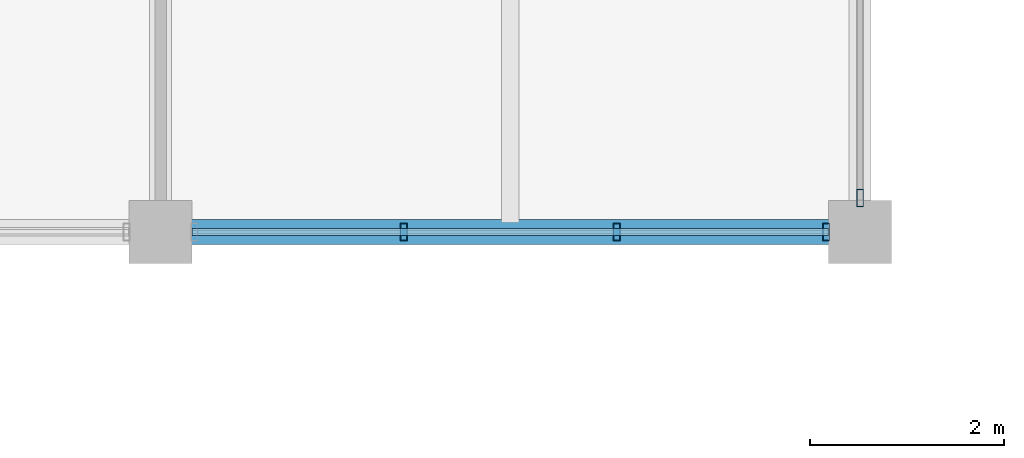
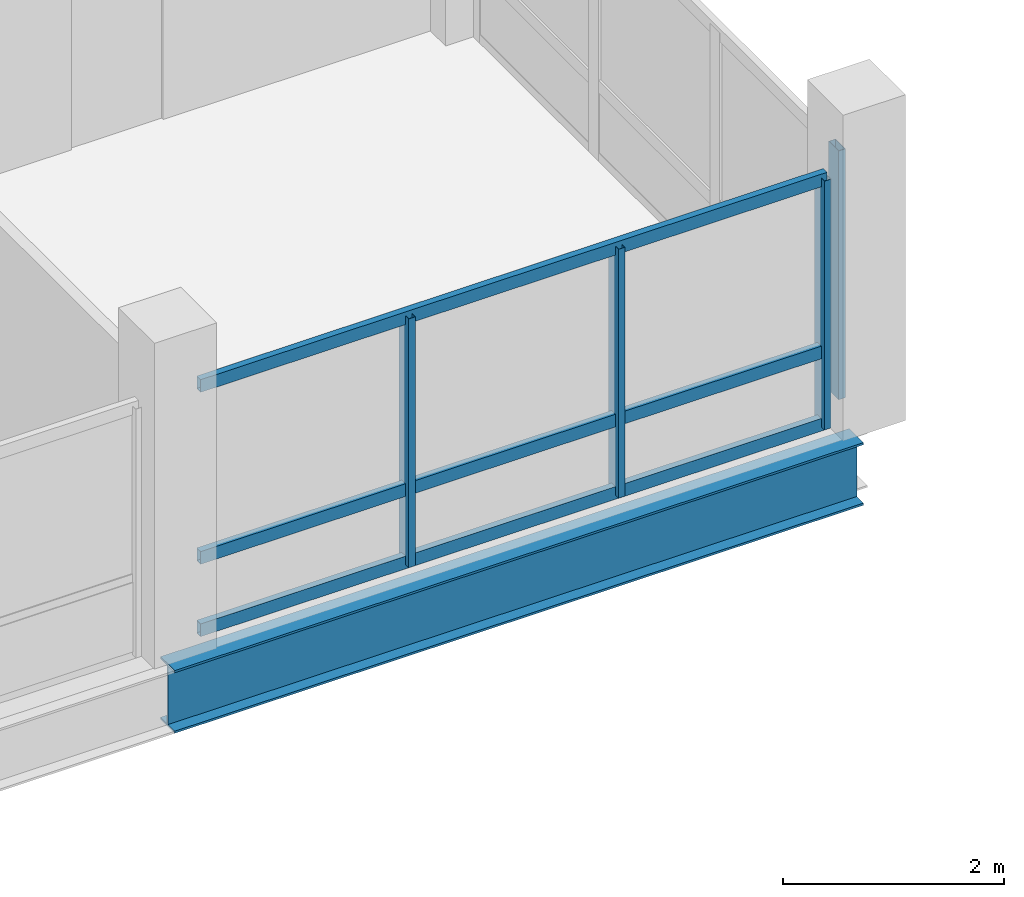
# One storey, part 43 of 96: 7 members, 1 beam, 2 elements without a shape of their own.
"""IFC4 building model written with IfcOpenShell, lengths in metres."""

from ifc_helpers import new_model, si_unit, direction, frame, origin, origin_2d, place, context, subcontext, project, spatial, hollow_rectangle, i_section, extrude, material, material_profile, profile_set, type_object, element, aggregate, save


model = new_model("IFC4")

# Units and contexts
model_context = context("Model", 3, precision=1e-05, world=origin(), true_north=direction((0.0, 1.0)))
body_context = subcontext(model_context, "Body", "Model", "MODEL_VIEW")
ifc_project = project(units=[si_unit("LENGTHUNIT", "METRE"), si_unit("AREAUNIT", "SQUARE_METRE"), si_unit("VOLUMEUNIT", "CUBIC_METRE"), si_unit("PLANEANGLEUNIT", "RADIAN"), si_unit("MASSUNIT", "GRAM", prefix="KILO")], contexts=[model_context])

# Site, building, storey
site_placement = place(None, origin())
site = spatial("IfcSite", under=ifc_project, at=site_placement, CompositionType="ELEMENT")
building_placement = place(site_placement, origin())
building = spatial("IfcBuilding", under=site, at=building_placement, Name="Yarey Park Central Fire Station", CompositionType="ELEMENT")
storey_placement = place(building_placement, frame((0.0, 0.0, 14.39990234375)))
storey = spatial("IfcBuildingStorey", under=building, at=storey_placement, Name="L04", CompositionType="ELEMENT", Elevation=14.39990234375)

# Curtain wall, members
ifc_material_1 = material(Name="Anodized Aluminium Frame", Category="aluminium")
curtain_wall_type = type_object("IfcCurtainWallType", Name="ENV_CW_HQ_L04", PredefinedType="NOTDEFINED", material=ifc_material_1)
curtain_wall_1_placement = place(storey_placement, origin())
curtain_wall_1 = element("IfcCurtainWall", 1, at=curtain_wall_1_placement, inside=storey, type_object=curtain_wall_type, Name="CW_L04_V4_S_6", PredefinedType="NOTDEFINED")
ifc_material_profile_1 = material_profile(ifc_material_1, hollow_rectangle(XDim=0.070068359375, YDim=0.179931640625, WallThickness=0.00390625, at=origin_2d()), Name="ALU 180x70x4")
ifc_profile_set_1 = profile_set([ifc_material_profile_1], Name="Anodized Aluminium Frame")
member_type_1 = type_object("IfcMemberType", Name="ENV_CW_MULLION", PredefinedType="MULLION", material=ifc_profile_set_1)
member_1_placement = place(storey_placement, frame((153.703369140625, 93.60009765625, 0.0), z_axis=(0.0, 0.0, 1.0), x_axis=(1.0, 0.0, 0.0)))
member_1 = element("IfcMember", 2, at=member_1_placement, type_object=member_type_1, Name="CW_L04_V4_S_6_MUL2", PredefinedType="MULLION", context=body_context, shape_type="SweptSolid", body=[
    extrude(hollow_rectangle(XDim=0.070068359375, YDim=0.179931640625, WallThickness=0.00390625, at=origin_2d()), origin(), (0.0, 0.0, 1.0), 2.75),
])
member_2_placement = place(storey_placement, frame((155.896728515625, 93.60009765625, 0.0), z_axis=(0.0, 0.0, 1.0), x_axis=(1.0, 0.0, 0.0)))
member_2 = element("IfcMember", 3, at=member_2_placement, type_object=member_type_1, Name="CW_L04_V4_S_6_MUL3", PredefinedType="MULLION", context=body_context, shape_type="SweptSolid", body=[
    extrude(hollow_rectangle(XDim=0.070068359375, YDim=0.179931640625, WallThickness=0.00390625, at=origin_2d()), origin(), (0.0, 0.0, 1.0), 2.75),
])
member_3_placement = place(storey_placement, frame((158.050048828125, 93.60009765625, 0.0), z_axis=(0.0, 0.0, 1.0), x_axis=(1.0, 0.0, 0.0)))
member_3 = element("IfcMember", 4, at=member_3_placement, type_object=member_type_1, Name="CW_L04_V4_S_6_MUL4", PredefinedType="MULLION", context=body_context, shape_type="SweptSolid", body=[
    extrude(hollow_rectangle(XDim=0.070068359375, YDim=0.179931640625, WallThickness=0.00390625, at=origin_2d()), origin(), (0.0, 0.0, 1.0), 2.75),
])

# Curtain wall, member
curtain_wall_2_placement = place(storey_placement, origin())
curtain_wall_2 = element("IfcCurtainWall", 5, at=curtain_wall_2_placement, inside=storey, type_object=curtain_wall_type, Name="CW_L04_V4_E_93", PredefinedType="NOTDEFINED")
member_4_placement = place(storey_placement, frame((158.39990234375, 93.949951171875, 0.0), z_axis=(0.0, 0.0, 1.0), x_axis=(1.0, 0.0, 0.0)))
member_4 = element("IfcMember", 6, at=member_4_placement, type_object=member_type_1, Name="CW_L04_V4_E_93_MUL1", PredefinedType="MULLION", context=body_context, shape_type="SweptSolid", body=[
    extrude(hollow_rectangle(XDim=0.070068359375, YDim=0.179931640625, WallThickness=0.00390625, at=origin_2d()), origin(), (0.0, 0.0, 1.0), 2.75),
])
aggregate(curtain_wall_2, [member_4])

# Member
ifc_material_profile_2 = material_profile(ifc_material_1, hollow_rectangle(XDim=0.070068359375, YDim=0.139892578125, WallThickness=0.00390625, at=origin_2d()), Name="ALU 140x70x4")
ifc_profile_set_2 = profile_set([ifc_material_profile_2], Name="Anodized Aluminium Frame")
member_type_2 = type_object("IfcMemberType", Name="ENV_CW_TRANSOM", PredefinedType="USERDEFINED", material=ifc_profile_set_2)
member_5_placement = place(storey_placement, frame((151.52490234375, 93.60009765625, 0.025146484375), z_axis=(1.0, 0.0, 0.0), x_axis=(0.0, 1.0, 0.0)))
member_5 = element("IfcMember", 7, at=member_5_placement, type_object=member_type_2, Name="CW_L04_V4_S_6_TRN1", ObjectType="TRANSOM", PredefinedType="USERDEFINED", context=body_context, shape_type="SweptSolid", body=[
    extrude(hollow_rectangle(XDim=0.070068359375, YDim=0.139892578125, WallThickness=0.00390625, at=origin_2d()), origin(), (0.0, 0.0, 1.0), 6.550048828125),
])

member_6_placement = place(storey_placement, frame((151.52490234375, 93.60009765625, 0.8251953125), z_axis=(1.0, 0.0, 0.0), x_axis=(0.0, 1.0, 0.0)))
member_6 = element("IfcMember", 8, at=member_6_placement, type_object=member_type_2, Name="CW_L04_V4_S_6_TRN2", ObjectType="TRANSOM", PredefinedType="USERDEFINED", context=body_context, shape_type="SweptSolid", body=[
    extrude(hollow_rectangle(XDim=0.070068359375, YDim=0.139892578125, WallThickness=0.00390625, at=origin_2d()), origin(), (0.0, 0.0, 1.0), 6.550048828125),
])

member_7_placement = place(storey_placement, frame((151.52490234375, 93.60009765625, 2.72509765625), z_axis=(1.0, 0.0, 0.0), x_axis=(0.0, 1.0, 0.0)))
member_7 = element("IfcMember", 9, at=member_7_placement, type_object=member_type_2, Name="CW_L04_V4_S_6_TRN3", ObjectType="TRANSOM", PredefinedType="USERDEFINED", context=body_context, shape_type="SweptSolid", body=[
    extrude(hollow_rectangle(XDim=0.070068359375, YDim=0.139892578125, WallThickness=0.00390625, at=origin_2d()), origin(), (0.0, 0.0, 1.0), 6.550048828125),
])

aggregate(curtain_wall_1, [member_1, member_2, member_3, member_5, member_6, member_7])

# Beam
ifc_material_2 = material(Name="Steel ASTM A992 Gr. 50", Category="steel")
ifc_material_profile_3 = material_profile(ifc_material_2, i_section(OverallWidth=0.256103515625, OverallDepth=0.693115234375, WebThickness=0.014404296875, FlangeThickness=0.023681640625, at=origin_2d()), Name="W690x170")
ifc_profile_set_3 = profile_set([ifc_material_profile_3], Name="Steel ASTM A992 Gr. 50")
beam_type = type_object("IfcBeamType", Name="STR_BM_W690", PredefinedType="BEAM", material=ifc_profile_set_3)
beam_placement = place(storey_placement, frame((151.199951171875, 93.60009765625, -0.596435546875), z_axis=(1.0, 0.0, 0.0), x_axis=(0.0, 1.0, 0.0)))
element("IfcBeam", 10, at=beam_placement, inside=storey, type_object=beam_type, Name="BMX L04 Y936 X1512", PredefinedType="BEAM", context=body_context, shape_type="SweptSolid", body=[
    extrude(i_section(OverallWidth=0.256103515625, OverallDepth=0.693115234375, WebThickness=0.014404296875, FlangeThickness=0.023681640625, at=origin_2d()), origin(), (0.0, 0.0, 1.0), 7.199951171875),
])

save(model, "model.ifc")
